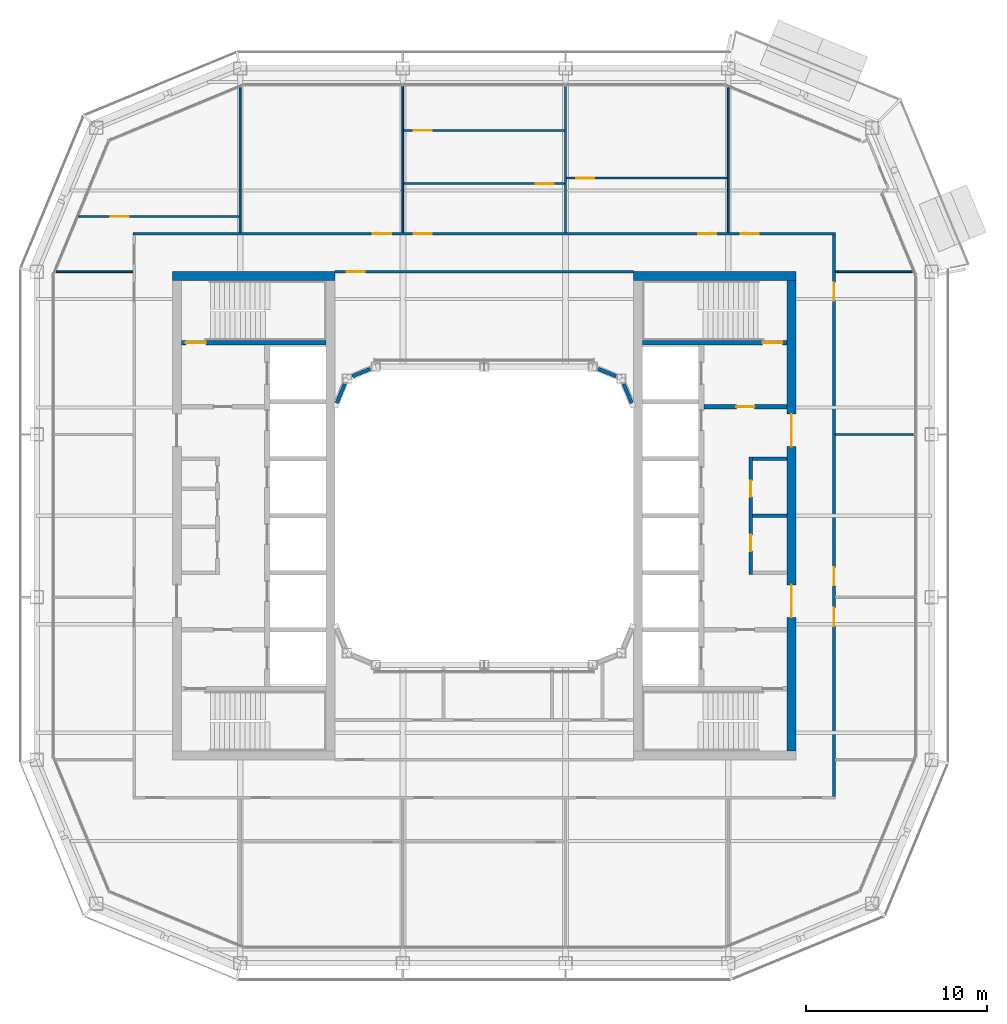
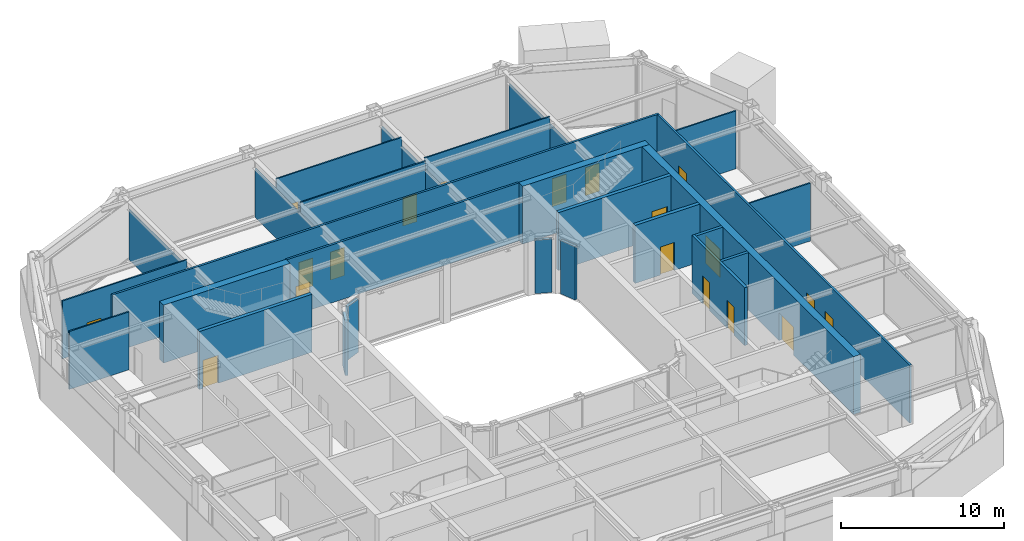
# One storey, part 12 of 20: 27 walls, 19 doors, 19 openings.
"""IFC4 building model written with IfcOpenShell, lengths in metres."""

import ifcopenshell
import ifcopenshell.guid

model = None  # the IFC model being written
_history = None  # IfcOwnerHistory: only IFC2X3 demands one
_inside = {}  # id of a spatial element -> (the spatial element, [elements in it])
_under = {}  # id of a project, library or spatial element -> (it, [spatial elements below it])
_declared = {}  # id of a project -> (the project, [libraries it declares])
_typed = {}  # id of a type object -> (the type object, [elements of that type])
_made_of = {}  # id of a material, layer set ... -> (it, [elements and type objects made of it])


def new_model(schema):
    """Start an empty IFC model of exactly this schema.

    Asked for "IFC4X3", IfcOpenShell would pick the latest addendum, in which some entities
    have other attributes; the version numbers below select the first issue.
    IFC2X3 requires an IfcOwnerHistory on every rooted entity: one is made here for all.
    """
    global model, _history
    if schema == "IFC4X3":
        model = ifcopenshell.file(schema_version=(4, 3, 0, 0))
    else:
        model = ifcopenshell.file(schema=schema)
    _inside.clear()
    _under.clear()
    _declared.clear()
    _typed.clear()
    _made_of.clear()
    _history = None
    if model.schema == "IFC2X3":
        org = make("IfcOrganization", Name="unknown")
        user = make(
            "IfcPersonAndOrganization",
            ThePerson=make("IfcPerson", FamilyName="unknown"),
            TheOrganization=org,
        )
        app = make(
            "IfcApplication",
            ApplicationDeveloper=org,
            Version="unknown",
            ApplicationFullName="unknown",
            ApplicationIdentifier="unknown",
        )
        _history = make(
            "IfcOwnerHistory",
            OwningUser=user,
            OwningApplication=app,
            ChangeAction="ADDED",
            CreationDate=0,
        )
    return model


def make(cls, **values):
    """One entity of the class cls with the attributes given. An attribute that is None is left unset."""
    return model.create_entity(
        cls, **{name: value for name, value in values.items() if value is not None}
    )


def rooted(cls, **values):
    """An entity with a GlobalId (a new one), such as an element, a storey or a relation."""
    return make(cls, GlobalId=ifcopenshell.guid.new(), OwnerHistory=_history, **values)


def si_unit(unit_type, name, prefix=None):
    """IfcSIUnit, for example si_unit("LENGTHUNIT", "METRE", prefix="MILLI")."""
    return make("IfcSIUnit", UnitType=unit_type, Prefix=prefix, Name=name)


def assignment(units):
    """IfcUnitAssignment: the units of a project."""
    return None if units is None else make("IfcUnitAssignment", Units=units)


def point(xyz):
    """IfcCartesianPoint."""
    return None if xyz is None else make("IfcCartesianPoint", Coordinates=xyz)


def direction(xyz):
    """IfcDirection."""
    return None if xyz is None else make("IfcDirection", DirectionRatios=xyz)


def frame(location, z_axis=None, x_axis=None):
    """IfcAxis2Placement3D, a coordinate frame: its origin and axes. An axis left out is left unset."""
    return make(
        "IfcAxis2Placement3D",
        Location=point(location),
        Axis=direction(z_axis),
        RefDirection=direction(x_axis),
    )


def frame_2d(location, x_axis=None):
    """IfcAxis2Placement2D, a coordinate frame in the plane: its origin and x axis."""
    return make(
        "IfcAxis2Placement2D", Location=point(location), RefDirection=direction(x_axis)
    )


def origin():
    """The frame at (0, 0, 0) with its axes left unset."""
    return frame((0.0, 0.0, 0.0))


def place(relative_to, where):
    """IfcLocalPlacement: puts the frame where relative to a parent placement (None: the world)."""
    return make(
        "IfcLocalPlacement", PlacementRelTo=relative_to, RelativePlacement=where
    )


def context(
    kind, dimensions, precision=None, world=None, true_north=None, identifier=None
):
    """IfcGeometricRepresentationContext, for example the 3D "Model" context."""
    return make(
        "IfcGeometricRepresentationContext",
        ContextIdentifier=identifier,
        ContextType=kind,
        CoordinateSpaceDimension=dimensions,
        Precision=precision,
        WorldCoordinateSystem=world,
        TrueNorth=true_north,
    )


def subcontext(parent, identifier, kind, view, scale=None):
    """IfcGeometricRepresentationSubContext, for example "Body" below "Model"."""
    return make(
        "IfcGeometricRepresentationSubContext",
        ContextIdentifier=identifier,
        ContextType=kind,
        ParentContext=parent,
        TargetScale=scale,
        TargetView=view,
    )


def project(units=None, contexts=None):
    """IfcProject with its units and contexts."""
    return rooted(
        "IfcProject",
        Name="project",
        RepresentationContexts=contexts,
        UnitsInContext=assignment(units),
    )


def spatial(cls, under=None, at=None, **own):
    """A site, building, storey or space (cls), placed at a placement, below another one or the project."""
    s = rooted(cls, ObjectPlacement=at, **own)
    if under is not None:
        _under.setdefault(under.id(), (under, []))[1].append(s)
    return s


def profile(cls, at=None, kind="AREA", **sizes):
    """A parametric profile (cls). Its sizes go by their IFC names, for example OverallWidth=200.0."""
    return make(cls, ProfileType=kind, Position=at, **sizes)


def rectangle(**sizes):
    """IfcRectangleProfileDef."""
    return profile("IfcRectangleProfileDef", **sizes)


def extrude(swept, where, along, depth):
    """IfcExtrudedAreaSolid: the profile swept, set in the frame where, extruded along a direction by depth."""
    return make(
        "IfcExtrudedAreaSolid",
        SweptArea=swept,
        Position=where,
        ExtrudedDirection=direction(along),
        Depth=depth,
    )


def shape(context_of_items, identifier, shape_type, items):
    """IfcShapeRepresentation: the items that make up one representation, for example the "Body"."""
    return make(
        "IfcShapeRepresentation",
        ContextOfItems=context_of_items,
        RepresentationIdentifier=identifier,
        RepresentationType=shape_type,
        Items=items,
    )


def material(Name=None, Category=None):
    """IfcMaterial."""
    return make("IfcMaterial", Name=Name, Category=Category)


def layer(
    of_material, thickness, ventilated=None, Name=None, Category=None, Priority=None
):
    """IfcMaterialLayer: one layer of a wall or slab, of a material (None: an air gap)."""
    return make(
        "IfcMaterialLayer",
        Material=of_material,
        LayerThickness=thickness,
        IsVentilated=ventilated,
        Name=Name,
        Category=Category,
        Priority=Priority,
    )


def layer_set(layers, Name=None):
    """IfcMaterialLayerSet."""
    return make("IfcMaterialLayerSet", MaterialLayers=layers, LayerSetName=Name)


def made_of(thing, what):
    """Note that an element or type object is made of a material, layer set ...; save() writes the relation."""
    if what is not None:
        _made_of.setdefault(what.id(), (what, []))[1].append(thing)
    return thing


def type_object(cls, material=None, **own):
    """A type object (cls), such as IfcWallType, which elements share."""
    return made_of(rooted(cls, **own), material)


def element(
    cls,
    number,
    at=None,
    inside=None,
    cuts=None,
    type_object=None,
    material=None,
    context=None,
    identifier="Body",
    shape_type=None,
    held_by="IfcProductDefinitionShape",
    body=None,
    shapes=None,
    **own,
):
    """One element of the class cls, such as IfcWall. Its Tag is "e" and its number.

    at: its placement. inside: the storey or other place that contains it. cuts: it is an
    opening in that element (IfcRelVoidsElement). A single representation is given by context,
    identifier, shape_type and body (its items); several are given by shapes. held_by: the class
    of the entity that holds the representations. save() writes the other relations.
    """
    e = rooted(cls, Tag="e%d" % number, ObjectPlacement=at, **own)
    if body is not None:
        shapes = [shape(context, identifier, shape_type, body)]
    if shapes is not None:
        e.Representation = make(held_by, Representations=shapes)
    if inside is not None:
        _inside.setdefault(inside.id(), (inside, []))[1].append(e)
    if cuts is not None:
        rooted(
            "IfcRelVoidsElement", RelatingBuildingElement=cuts, RelatedOpeningElement=e
        )
    if type_object is not None:
        _typed.setdefault(type_object.id(), (type_object, []))[1].append(e)
    return made_of(e, material)


def fill(opening, filler):
    """IfcRelFillsElement: the door or window that sits in an opening."""
    return rooted(
        "IfcRelFillsElement",
        RelatingOpeningElement=opening,
        RelatedBuildingElement=filler,
    )


def aggregate(whole, parts):
    """IfcRelAggregates: a whole, such as a stair, and the parts it consists of."""
    return rooted("IfcRelAggregates", RelatingObject=whole, RelatedObjects=parts)


def save(model, path):
    """Write the relations noted so far, then the file.

    IfcRelAggregates (storeys below a building ...), IfcRelContainedInSpatialStructure (elements
    in a storey), IfcRelDefinesByType, IfcRelAssociatesMaterial and IfcRelDeclares: one each for
    every whole, place, type object, material and project.
    """
    for whole, parts in _under.values():
        aggregate(whole, parts)
    for where, things in _inside.values():
        rooted(
            "IfcRelContainedInSpatialStructure",
            RelatedElements=things,
            RelatingStructure=where,
        )
    for kind, things in _typed.values():
        rooted("IfcRelDefinesByType", RelatedObjects=things, RelatingType=kind)
    for what, things in _made_of.values():
        rooted("IfcRelAssociatesMaterial", RelatedObjects=things, RelatingMaterial=what)
    for by, libraries in _declared.values():
        rooted("IfcRelDeclares", RelatingContext=by, RelatedDefinitions=libraries)
    model.write(path)


model = new_model("IFC4")

# Units and contexts
model_context = context("Model", 3, precision=1e-05, world=origin(), true_north=direction((0.0, 1.0)))
body_context = subcontext(model_context, "Body", "Model", "MODEL_VIEW")
ifc_project = project(units=[si_unit("LENGTHUNIT", "METRE"), si_unit("AREAUNIT", "SQUARE_METRE"), si_unit("VOLUMEUNIT", "CUBIC_METRE"), si_unit("PLANEANGLEUNIT", "RADIAN"), si_unit("MASSUNIT", "GRAM", prefix="KILO")], contexts=[model_context])

# Site, building, storey
site_placement = place(None, origin())
site = spatial("IfcSite", under=ifc_project, at=site_placement, CompositionType="ELEMENT")
building_placement = place(site_placement, origin())
building = spatial("IfcBuilding", under=site, at=building_placement, Name="Siwar Civic Tower", CompositionType="ELEMENT")
storey_placement = place(building_placement, frame((0.0, 0.0, 307.699951171875)))
storey = spatial("IfcBuildingStorey", under=building, at=storey_placement, Name="L66", CompositionType="ELEMENT", Elevation=307.699951171875)

# Wall, openings, doors
ifc_material_1 = material(Name="Gypsum board on steel studs", Category="steel")
ifc_layer_1 = layer(ifc_material_1, 0.199951171875)
ifc_layer_set_1 = layer_set([ifc_layer_1], Name="Gypsum board on steel studs")
wall_type_1 = type_object("IfcWallType", Name="CORE-PARTITION-200", PredefinedType="PARTITIONING", material=ifc_layer_set_1)
wall_1_placement = place(storey_placement, frame((14.75, -3.25, 0.0), z_axis=(0.0, 0.0, 1.0), x_axis=(0.0, 1.0, 0.0)))
wall_1 = element("IfcWall", 1, at=wall_1_placement, inside=storey, type_object=wall_type_1, Name="Core partition E", PredefinedType="PARTITIONING", context=body_context, shape_type="SweptSolid", body=[
    extrude(rectangle(XDim=6.5, YDim=0.199951171875, at=frame_2d((3.25, 0.0))), origin(), (0.0, 0.0, 1.0), 4.35009765625),
])
opening_1_placement = place(wall_1_placement, frame((1.300048828125, 0.0, 0.0)))
opening_1 = element("IfcOpeningElement", 2, at=opening_1_placement, cuts=wall_1, Name="Opening L66-CE13", PredefinedType="OPENING", context=body_context, shape_type="SweptSolid", body=[
    extrude(rectangle(XDim=0.89990234375, YDim=2.10009765625, at=frame_2d((0.449951171875, 1.050048828125))), frame((0.0, 0.10986328125, 0.0), z_axis=(0.0, -1.0, 0.0), x_axis=(1.0, 0.0, 0.0)), (0.0, 0.0, 1.0), 0.219970703125),
])
opening_2_placement = place(wall_1_placement, frame((4.300048828125, 0.0, 0.0)))
opening_2 = element("IfcOpeningElement", 3, at=opening_2_placement, cuts=wall_1, Name="Opening L66-CE14", PredefinedType="OPENING", context=body_context, shape_type="SweptSolid", body=[
    extrude(rectangle(XDim=0.89990234375, YDim=2.10009765625, at=frame_2d((0.449951171875, 1.050048828125))), frame((0.0, 0.10986328125, 0.0), z_axis=(0.0, -1.0, 0.0), x_axis=(1.0, 0.0, 0.0)), (0.0, 0.0, 1.0), 0.219970703125),
])
ifc_material_2 = material(Name="Steel door leaf", Category="steel")
door_type_1 = type_object("IfcDoorType", Name="CORE-DOOR-ROOM", OperationType="SINGLE_SWING_LEFT", PredefinedType="DOOR", material=ifc_material_2)
door_1_placement = place(opening_1_placement, origin())
door_1 = element("IfcDoor", 4, at=door_1_placement, inside=storey, type_object=door_type_1, Name="Core room door L66-CE13", OperationType="SINGLE_SWING_RIGHT", OverallHeight=2.10009765625, OverallWidth=0.89990234375, PredefinedType="DOOR", context=body_context, shape_type="SweptSolid", body=[
    extrude(rectangle(XDim=0.89990234375, YDim=2.10009765625, at=frame_2d((0.449951171875, 1.050048828125))), frame((0.0, 0.02490234375, 0.0), z_axis=(0.0, -1.0, 0.0), x_axis=(1.0, 0.0, 0.0)), (0.0, 0.0, 1.0), 0.050048828125),
])
fill(opening_1, door_1)
door_2_placement = place(opening_2_placement, origin())
door_2 = element("IfcDoor", 5, at=door_2_placement, inside=storey, type_object=door_type_1, Name="Core room door L66-CE14", OperationType="SINGLE_SWING_LEFT", OverallHeight=2.10009765625, OverallWidth=0.89990234375, PredefinedType="DOOR", context=body_context, shape_type="SweptSolid", body=[
    extrude(rectangle(XDim=0.89990234375, YDim=2.10009765625, at=frame_2d((0.449951171875, 1.050048828125))), frame((0.0, 0.02490234375, 0.0), z_axis=(0.0, -1.0, 0.0), x_axis=(1.0, 0.0, 0.0)), (0.0, 0.0, 1.0), 0.050048828125),
])
fill(opening_2, door_2)

# Walls
for number, where, z_axis, x_axis, name in (
    (6, (14.85009765625, 3.14990234375, 0.0), (0.0, 0.0, 1.0), (1.0, 0.0, 0.0), "Core partition E"),
    (7, (14.85009765625, 0.0, 0.0), (0.0, 0.0, 1.0), (1.0, 0.0, 0.0), "Core partition E"),
):
    element("IfcWall", number, at=place(storey_placement, frame(where, z_axis=z_axis, x_axis=x_axis)), inside=storey, type_object=wall_type_1, Name=name, PredefinedType="PARTITIONING", context=body_context, shape_type="SweptSolid", body=[
        extrude(rectangle(XDim=1.89990234375, YDim=0.199951171875, at=frame_2d((0.949951171875, 0.0))), origin(), (0.0, 0.0, 1.0), 4.35009765625),
    ])

# Wall, opening, door
ifc_material_3 = material(Name="Concrete C60/75", Category="concrete")
ifc_layer_2 = layer(ifc_material_3, 0.25)
ifc_layer_set_2 = layer_set([ifc_layer_2], Name="Concrete C60/75")
wall_type_2 = type_object("IfcWallType", Name="CORE-WALL-RC250", PredefinedType="SHEAR", material=ifc_layer_set_2)
wall_2_placement = place(storey_placement, frame((-8.75, 9.574951171875, 0.0), z_axis=(0.0, 0.0, 1.0), x_axis=(-1.0, 0.0, 0.0)))
wall_2 = element("IfcWall", 8, at=wall_2_placement, inside=storey, type_object=wall_type_2, Name="Core wall W", PredefinedType="SHEAR", context=body_context, shape_type="SweptSolid", body=[
    extrude(rectangle(XDim=8.0, YDim=0.25, at=frame_2d((4.0, 0.0))), origin(), (0.0, 0.0, 1.0), 4.35009765625),
])
opening_3_placement = place(wall_2_placement, frame((6.64990234375, 0.0, 0.0)))
opening_3 = element("IfcOpeningElement", 9, at=opening_3_placement, cuts=wall_2, Name="Opening L66-CW03", PredefinedType="OPENING", context=body_context, shape_type="SweptSolid", body=[
    extrude(rectangle(XDim=1.10009765625, YDim=2.10009765625, at=frame_2d((0.550048828125, 1.050048828125))), frame((0.0, 0.135009765625, 0.0), z_axis=(0.0, -1.0, 0.0), x_axis=(1.0, 0.0, 0.0)), (0.0, 0.0, 1.0), 0.27001953125),
])
ifc_material_4 = material(Name="Steel door leaf", Category="steel")
door_type_2 = type_object("IfcDoorType", Name="CORE-DOOR-FD60S", OperationType="SINGLE_SWING_LEFT", PredefinedType="DOOR", material=ifc_material_4)
door_3_placement = place(opening_3_placement, origin())
door_3 = element("IfcDoor", 10, at=door_3_placement, inside=storey, type_object=door_type_2, Name="Stair door L66-CW03", OperationType="SINGLE_SWING_RIGHT", OverallHeight=2.10009765625, OverallWidth=1.10009765625, PredefinedType="DOOR", context=body_context, shape_type="SweptSolid", body=[
    extrude(rectangle(XDim=1.10009765625, YDim=2.10009765625, at=frame_2d((0.550048828125, 1.050048828125))), frame((0.0, 0.02490234375, 0.0), z_axis=(0.0, -1.0, 0.0), x_axis=(1.0, 0.0, 0.0)), (0.0, 0.0, 1.0), 0.050048828125),
])
fill(opening_3, door_3)

wall_3_placement = place(storey_placement, frame((12.14990234375, 6.02490234375, 0.0), z_axis=(0.0, 0.0, 1.0), x_axis=(1.0, 0.0, 0.0)))
wall_3 = element("IfcWall", 11, at=wall_3_placement, inside=storey, type_object=wall_type_2, Name="Core wall E", PredefinedType="SHEAR", context=body_context, shape_type="SweptSolid", body=[
    extrude(rectangle(XDim=4.60009765625, YDim=0.25, at=frame_2d((2.300048828125, 0.0))), origin(), (0.0, 0.0, 1.0), 4.35009765625),
])
opening_4_placement = place(wall_3_placement, frame((1.800048828125, 0.0, 0.0)))
opening_4 = element("IfcOpeningElement", 12, at=opening_4_placement, cuts=wall_3, Name="Opening L66-CE01", PredefinedType="OPENING", context=body_context, shape_type="SweptSolid", body=[
    extrude(rectangle(XDim=1.0, YDim=2.10009765625, at=frame_2d((0.5, 1.050048828125))), frame((0.0, 0.135009765625, 0.0), z_axis=(0.0, -1.0, 0.0), x_axis=(1.0, 0.0, 0.0)), (0.0, 0.0, 1.0), 0.27001953125),
])
ifc_material_5 = material(Name="Steel door leaf", Category="steel")
door_type_3 = type_object("IfcDoorType", Name="CORE-DOOR-FD30S", OperationType="SINGLE_SWING_LEFT", PredefinedType="DOOR", material=ifc_material_5)
door_4_placement = place(opening_4_placement, origin())
door_4 = element("IfcDoor", 13, at=door_4_placement, inside=storey, type_object=door_type_3, Name="Firefighting lobby door L66-CE01", OperationType="SINGLE_SWING_RIGHT", OverallHeight=2.10009765625, OverallWidth=1.0, PredefinedType="DOOR", context=body_context, shape_type="SweptSolid", body=[
    extrude(rectangle(XDim=1.0, YDim=2.10009765625, at=frame_2d((0.5, 1.050048828125))), frame((0.0, 0.02490234375, 0.0), z_axis=(0.0, -1.0, 0.0), x_axis=(1.0, 0.0, 0.0)), (0.0, 0.0, 1.0), 0.050048828125),
])
fill(opening_4, door_4)

wall_4_placement = place(storey_placement, frame((8.75, 9.574951171875, 0.0), z_axis=(0.0, 0.0, 1.0), x_axis=(1.0, 0.0, 0.0)))
wall_4 = element("IfcWall", 14, at=wall_4_placement, inside=storey, type_object=wall_type_2, Name="Core wall E", PredefinedType="SHEAR", context=body_context, shape_type="SweptSolid", body=[
    extrude(rectangle(XDim=8.0, YDim=0.25, at=frame_2d((4.0, 0.0))), origin(), (0.0, 0.0, 1.0), 4.35009765625),
])
opening_5_placement = place(wall_4_placement, frame((6.64990234375, 0.0, 0.0)))
opening_5 = element("IfcOpeningElement", 15, at=opening_5_placement, cuts=wall_4, Name="Opening L66-CE03", PredefinedType="OPENING", context=body_context, shape_type="SweptSolid", body=[
    extrude(rectangle(XDim=1.10009765625, YDim=2.10009765625, at=frame_2d((0.550048828125, 1.050048828125))), frame((0.0, 0.135009765625, 0.0), z_axis=(0.0, -1.0, 0.0), x_axis=(1.0, 0.0, 0.0)), (0.0, 0.0, 1.0), 0.27001953125),
])
door_5_placement = place(opening_5_placement, origin())
door_5 = element("IfcDoor", 16, at=door_5_placement, inside=storey, type_object=door_type_2, Name="Stair door L66-CE03", OperationType="SINGLE_SWING_LEFT", OverallHeight=2.10009765625, OverallWidth=1.10009765625, PredefinedType="DOOR", context=body_context, shape_type="SweptSolid", body=[
    extrude(rectangle(XDim=1.10009765625, YDim=2.10009765625, at=frame_2d((0.550048828125, 1.050048828125))), frame((0.0, 0.02490234375, 0.0), z_axis=(0.0, -1.0, 0.0), x_axis=(1.0, 0.0, 0.0)), (0.0, 0.0, 1.0), 0.050048828125),
])
fill(opening_5, door_5)

# Wall
ifc_material_6 = material(Name="Concrete C60/75", Category="concrete")
ifc_layer_3 = layer(ifc_material_6, 0.5)
ifc_layer_set_3 = layer_set([ifc_layer_3], Name="Concrete C60/75")
wall_type_3 = type_object("IfcWallType", Name="CORE-WALL-RC500", PredefinedType="SHEAR", material=ifc_layer_set_3)
wall_5_placement = place(storey_placement, frame((-8.25, 13.25, 0.0), z_axis=(0.0, 0.0, 1.0), x_axis=(-1.0, 0.0, 0.0)))
element("IfcWall", 17, at=wall_5_placement, inside=storey, type_object=wall_type_3, Name="Core wall W", PredefinedType="SHEAR", context=body_context, shape_type="SweptSolid", body=[
    extrude(rectangle(XDim=9.0, YDim=0.5, at=frame_2d((4.5, 0.0))), origin(), (0.0, 0.0, 1.0), 4.35009765625),
])

# Wall, openings, doors
wall_6_placement = place(storey_placement, frame((17.0, -13.0, 0.0), z_axis=(0.0, 0.0, 1.0), x_axis=(0.0, 1.0, 0.0)))
wall_6 = element("IfcWall", 18, at=wall_6_placement, inside=storey, type_object=wall_type_3, Name="Core wall E", PredefinedType="SHEAR", context=body_context, shape_type="SweptSolid", body=[
    extrude(rectangle(XDim=26.0, YDim=0.5, at=frame_2d((13.0, 0.0))), origin(), (0.0, 0.0, 1.0), 4.35009765625),
])
opening_6_placement = place(wall_6_placement, frame((16.824951171875, 0.0, 0.0)))
opening_6 = element("IfcOpeningElement", 19, at=opening_6_placement, cuts=wall_6, Name="Opening L66-CE05", PredefinedType="OPENING", context=body_context, shape_type="SweptSolid", body=[
    extrude(rectangle(XDim=1.800048828125, YDim=2.10009765625, at=frame_2d((0.89990234375, 1.050048828125))), frame((0.0, 0.260009765625, 0.0), z_axis=(0.0, -1.0, 0.0), x_axis=(1.0, 0.0, 0.0)), (0.0, 0.0, 1.0), 0.52001953125),
])
opening_7_placement = place(wall_6_placement, frame((7.375, 0.0, 0.0)))
opening_7 = element("IfcOpeningElement", 20, at=opening_7_placement, cuts=wall_6, Name="Opening L66-CE06", PredefinedType="OPENING", context=body_context, shape_type="SweptSolid", body=[
    extrude(rectangle(XDim=1.800048828125, YDim=2.10009765625, at=frame_2d((0.89990234375, 1.050048828125))), frame((0.0, 0.260009765625, 0.0), z_axis=(0.0, -1.0, 0.0), x_axis=(1.0, 0.0, 0.0)), (0.0, 0.0, 1.0), 0.52001953125),
])
ifc_material_7 = material(Name="Steel door leaf", Category="steel")
door_type_4 = type_object("IfcDoorType", Name="CORE-DOOR-PORT", OperationType="DOUBLE_DOOR_DOUBLE_SWING", PredefinedType="DOOR", material=ifc_material_7)
door_6_placement = place(opening_6_placement, origin())
door_6 = element("IfcDoor", 21, at=door_6_placement, inside=storey, type_object=door_type_4, Name="Core entrance door L66-CE05", OperationType="DOUBLE_DOOR_DOUBLE_SWING", OverallHeight=2.10009765625, OverallWidth=1.800048828125, PredefinedType="DOOR", context=body_context, shape_type="SweptSolid", body=[
    extrude(rectangle(XDim=1.800048828125, YDim=2.10009765625, at=frame_2d((0.89990234375, 1.050048828125))), frame((0.0, 0.02490234375, 0.0), z_axis=(0.0, -1.0, 0.0), x_axis=(1.0, 0.0, 0.0)), (0.0, 0.0, 1.0), 0.050048828125),
])
fill(opening_6, door_6)
door_7_placement = place(opening_7_placement, origin())
door_7 = element("IfcDoor", 22, at=door_7_placement, inside=storey, type_object=door_type_4, Name="Core entrance door L66-CE06", OperationType="DOUBLE_DOOR_DOUBLE_SWING", OverallHeight=2.10009765625, OverallWidth=1.800048828125, PredefinedType="DOOR", context=body_context, shape_type="SweptSolid", body=[
    extrude(rectangle(XDim=1.800048828125, YDim=2.10009765625, at=frame_2d((0.89990234375, 1.050048828125))), frame((0.0, 0.02490234375, 0.0), z_axis=(0.0, -1.0, 0.0), x_axis=(1.0, 0.0, 0.0)), (0.0, 0.0, 1.0), 0.050048828125),
])
fill(opening_7, door_7)

# Wall
wall_7_placement = place(storey_placement, frame((8.25, 13.25, 0.0), z_axis=(0.0, 0.0, 1.0), x_axis=(1.0, 0.0, 0.0)))
element("IfcWall", 23, at=wall_7_placement, inside=storey, type_object=wall_type_3, Name="Core wall E", PredefinedType="SHEAR", context=body_context, shape_type="SweptSolid", body=[
    extrude(rectangle(XDim=9.0, YDim=0.5, at=frame_2d((4.5, 0.0))), origin(), (0.0, 0.0, 1.0), 4.35009765625),
])

# Wall, opening, door
ifc_material_8 = material(Name="Gypsum board on steel studs", Category="steel")
ifc_layer_4 = layer(ifc_material_8, 0.14990234375)
ifc_layer_set_4 = layer_set([ifc_layer_4], Name="Gypsum board on steel studs")
wall_type_4 = type_object("IfcWallType", Name="CORRIDOR PARTITION 150 EI 30", PredefinedType="PARTITIONING", material=ifc_layer_set_4)
wall_8_placement = place(storey_placement, frame((-8.25, 13.5, 0.0), z_axis=(0.0, 0.0, 1.0), x_axis=(1.0, 0.0, 0.0)))
wall_8 = element("IfcWall", 24, at=wall_8_placement, inside=storey, type_object=wall_type_4, Name="L66/wall/P14", PredefinedType="PARTITIONING", context=body_context, shape_type="SweptSolid", body=[
    extrude(rectangle(XDim=16.5, YDim=0.14990234375, at=frame_2d((8.25, 0.0))), origin(), (0.0, 0.0, 1.0), 4.35009765625),
])
opening_8_placement = place(wall_8_placement, frame((0.64990234375, 0.0, 0.0)))
opening_8 = element("IfcOpeningElement", 25, at=opening_8_placement, cuts=wall_8, Name="Opening D1", PredefinedType="OPENING", context=body_context, shape_type="SweptSolid", body=[
    extrude(rectangle(XDim=1.0, YDim=2.10009765625, at=frame_2d((0.5, 1.050048828125))), frame((0.0, 0.0849609375, 0.0), z_axis=(0.0, -1.0, 0.0), x_axis=(1.0, 0.0, 0.0)), (0.0, 0.0, 1.0), 0.169921875),
])
ifc_material_9 = material(Name="Timber, painted", Category="wood")
door_type_5 = type_object("IfcDoorType", Name="DOOR 1000 X 2100 FD30", OperationType="SINGLE_SWING_LEFT", PredefinedType="DOOR", material=ifc_material_9)
door_8_placement = place(opening_8_placement, origin())
door_8 = element("IfcDoor", 26, at=door_8_placement, inside=storey, type_object=door_type_5, Name="L66-D23", OperationType="SINGLE_SWING_LEFT", OverallHeight=2.10009765625, OverallWidth=1.0, PredefinedType="DOOR", context=body_context, shape_type="SweptSolid", body=[
    extrude(rectangle(XDim=1.0, YDim=2.10009765625, at=frame_2d((0.5, 1.050048828125))), frame((0.0, 0.02490234375, 0.0), z_axis=(0.0, -1.0, 0.0), x_axis=(1.0, 0.0, 0.0)), (0.0, 0.0, 1.0), 0.050048828125),
])
fill(opening_8, door_8)

# Wall, openings, doors
wall_9_placement = place(storey_placement, frame((-19.425048828125, 15.60009765625, 0.0), z_axis=(0.0, 0.0, 1.0), x_axis=(1.0, 0.0, 0.0)))
wall_9 = element("IfcWall", 27, at=wall_9_placement, inside=storey, type_object=wall_type_4, Name="L66/wall/P15", PredefinedType="PARTITIONING", context=body_context, shape_type="SweptSolid", body=[
    extrude(rectangle(XDim=38.85009765625, YDim=0.14990234375, at=frame_2d((19.425048828125, 0.0))), origin(), (0.0, 0.0, 1.0), 4.35009765625),
])
opening_9_placement = place(wall_9_placement, frame((13.27490234375, 0.0, 0.0)))
opening_9 = element("IfcOpeningElement", 28, at=opening_9_placement, cuts=wall_9, Name="Opening D1", PredefinedType="OPENING", context=body_context, shape_type="SweptSolid", body=[
    extrude(rectangle(XDim=1.0, YDim=2.10009765625, at=frame_2d((0.5, 1.050048828125))), frame((0.0, 0.0849609375, 0.0), z_axis=(0.0, -1.0, 0.0), x_axis=(1.0, 0.0, 0.0)), (0.0, 0.0, 1.0), 0.169921875),
])
opening_10_placement = place(wall_9_placement, frame((15.52490234375, 0.0, 0.0)))
opening_10 = element("IfcOpeningElement", 29, at=opening_10_placement, cuts=wall_9, Name="Opening D1", PredefinedType="OPENING", context=body_context, shape_type="SweptSolid", body=[
    extrude(rectangle(XDim=1.0, YDim=2.10009765625, at=frame_2d((0.5, 1.050048828125))), frame((0.0, 0.0849609375, 0.0), z_axis=(0.0, -1.0, 0.0), x_axis=(1.0, 0.0, 0.0)), (0.0, 0.0, 1.0), 0.169921875),
])
opening_11_placement = place(wall_9_placement, frame((31.27490234375, 0.0, 0.0)))
opening_11 = element("IfcOpeningElement", 30, at=opening_11_placement, cuts=wall_9, Name="Opening D1", PredefinedType="OPENING", context=body_context, shape_type="SweptSolid", body=[
    extrude(rectangle(XDim=1.0, YDim=2.10009765625, at=frame_2d((0.5, 1.050048828125))), frame((0.0, 0.0849609375, 0.0), z_axis=(0.0, -1.0, 0.0), x_axis=(1.0, 0.0, 0.0)), (0.0, 0.0, 1.0), 0.169921875),
])
opening_12_placement = place(wall_9_placement, frame((33.625, 0.0, 0.0)))
opening_12 = element("IfcOpeningElement", 31, at=opening_12_placement, cuts=wall_9, Name="Opening D1", PredefinedType="OPENING", context=body_context, shape_type="SweptSolid", body=[
    extrude(rectangle(XDim=1.0, YDim=2.10009765625, at=frame_2d((0.5, 1.050048828125))), frame((0.0, 0.0849609375, 0.0), z_axis=(0.0, -1.0, 0.0), x_axis=(1.0, 0.0, 0.0)), (0.0, 0.0, 1.0), 0.169921875),
])
door_9_placement = place(opening_9_placement, origin())
door_9 = element("IfcDoor", 32, at=door_9_placement, inside=storey, type_object=door_type_5, Name="L66-D01", OperationType="SINGLE_SWING_LEFT", OverallHeight=2.10009765625, OverallWidth=1.0, PredefinedType="DOOR", context=body_context, shape_type="SweptSolid", body=[
    extrude(rectangle(XDim=1.0, YDim=2.10009765625, at=frame_2d((0.5, 1.050048828125))), frame((0.0, 0.02490234375, 0.0), z_axis=(0.0, -1.0, 0.0), x_axis=(1.0, 0.0, 0.0)), (0.0, 0.0, 1.0), 0.050048828125),
])
fill(opening_9, door_9)
door_10_placement = place(opening_10_placement, origin())
door_10 = element("IfcDoor", 33, at=door_10_placement, inside=storey, type_object=door_type_5, Name="L66-D02", OperationType="SINGLE_SWING_RIGHT", OverallHeight=2.10009765625, OverallWidth=1.0, PredefinedType="DOOR", context=body_context, shape_type="SweptSolid", body=[
    extrude(rectangle(XDim=1.0, YDim=2.10009765625, at=frame_2d((0.5, 1.050048828125))), frame((0.0, 0.02490234375, 0.0), z_axis=(0.0, -1.0, 0.0), x_axis=(1.0, 0.0, 0.0)), (0.0, 0.0, 1.0), 0.050048828125),
])
fill(opening_10, door_10)
door_11_placement = place(opening_11_placement, origin())
door_11 = element("IfcDoor", 34, at=door_11_placement, inside=storey, type_object=door_type_5, Name="L66-D05", OperationType="SINGLE_SWING_LEFT", OverallHeight=2.10009765625, OverallWidth=1.0, PredefinedType="DOOR", context=body_context, shape_type="SweptSolid", body=[
    extrude(rectangle(XDim=1.0, YDim=2.10009765625, at=frame_2d((0.5, 1.050048828125))), frame((0.0, 0.02490234375, 0.0), z_axis=(0.0, -1.0, 0.0), x_axis=(1.0, 0.0, 0.0)), (0.0, 0.0, 1.0), 0.050048828125),
])
fill(opening_11, door_11)
door_12_placement = place(opening_12_placement, origin())
door_12 = element("IfcDoor", 35, at=door_12_placement, inside=storey, type_object=door_type_5, Name="L66-D14", OperationType="SINGLE_SWING_RIGHT", OverallHeight=2.10009765625, OverallWidth=1.0, PredefinedType="DOOR", context=body_context, shape_type="SweptSolid", body=[
    extrude(rectangle(XDim=1.0, YDim=2.10009765625, at=frame_2d((0.5, 1.050048828125))), frame((0.0, 0.02490234375, 0.0), z_axis=(0.0, -1.0, 0.0), x_axis=(1.0, 0.0, 0.0)), (0.0, 0.0, 1.0), 0.050048828125),
])
fill(opening_12, door_12)

wall_10_placement = place(storey_placement, frame((19.35009765625, -15.52490234375, 0.0), z_axis=(0.0, 0.0, 1.0), x_axis=(0.0, 1.0, 0.0)))
wall_10 = element("IfcWall", 36, at=wall_10_placement, inside=storey, type_object=wall_type_4, Name="L66/wall/P33", PredefinedType="PARTITIONING", context=body_context, shape_type="SweptSolid", body=[
    extrude(rectangle(XDim=31.0498046875, YDim=0.14990234375, at=frame_2d((15.52490234375, 0.0))), origin(), (0.0, 0.0, 1.0), 4.35009765625),
])
opening_13_placement = place(wall_10_placement, frame((9.425048828125, 0.0, 0.0)))
opening_13 = element("IfcOpeningElement", 37, at=opening_13_placement, cuts=wall_10, Name="Opening D1", PredefinedType="OPENING", context=body_context, shape_type="SweptSolid", body=[
    extrude(rectangle(XDim=1.0, YDim=2.10009765625, at=frame_2d((0.5, 1.050048828125))), frame((0.0, 0.0849609375, 0.0), z_axis=(0.0, -1.0, 0.0), x_axis=(1.0, 0.0, 0.0)), (0.0, 0.0, 1.0), 0.169921875),
])
opening_14_placement = place(wall_10_placement, frame((11.675048828125, 0.0, 0.0)))
opening_14 = element("IfcOpeningElement", 38, at=opening_14_placement, cuts=wall_10, Name="Opening D1", PredefinedType="OPENING", context=body_context, shape_type="SweptSolid", body=[
    extrude(rectangle(XDim=1.0, YDim=2.10009765625, at=frame_2d((0.5, 1.050048828125))), frame((0.0, 0.0849609375, 0.0), z_axis=(0.0, -1.0, 0.0), x_axis=(1.0, 0.0, 0.0)), (0.0, 0.0, 1.0), 0.169921875),
])
opening_15_placement = place(wall_10_placement, frame((27.425048828125, 0.0, 0.0)))
opening_15 = element("IfcOpeningElement", 39, at=opening_15_placement, cuts=wall_10, Name="Opening D1", PredefinedType="OPENING", context=body_context, shape_type="SweptSolid", body=[
    extrude(rectangle(XDim=1.0, YDim=2.10009765625, at=frame_2d((0.5, 1.050048828125))), frame((0.0, 0.0849609375, 0.0), z_axis=(0.0, -1.0, 0.0), x_axis=(1.0, 0.0, 0.0)), (0.0, 0.0, 1.0), 0.169921875),
])
door_13_placement = place(opening_13_placement, origin())
door_13 = element("IfcDoor", 40, at=door_13_placement, inside=storey, type_object=door_type_5, Name="L66-D20", OperationType="SINGLE_SWING_RIGHT", OverallHeight=2.10009765625, OverallWidth=1.0, PredefinedType="DOOR", context=body_context, shape_type="SweptSolid", body=[
    extrude(rectangle(XDim=1.0, YDim=2.10009765625, at=frame_2d((0.5, 1.050048828125))), frame((0.0, 0.02490234375, 0.0), z_axis=(0.0, -1.0, 0.0), x_axis=(1.0, 0.0, 0.0)), (0.0, 0.0, 1.0), 0.050048828125),
])
fill(opening_13, door_13)
door_14_placement = place(opening_14_placement, origin())
door_14 = element("IfcDoor", 41, at=door_14_placement, inside=storey, type_object=door_type_5, Name="L66-D21", OperationType="SINGLE_SWING_LEFT", OverallHeight=2.10009765625, OverallWidth=1.0, PredefinedType="DOOR", context=body_context, shape_type="SweptSolid", body=[
    extrude(rectangle(XDim=1.0, YDim=2.10009765625, at=frame_2d((0.5, 1.050048828125))), frame((0.0, 0.02490234375, 0.0), z_axis=(0.0, -1.0, 0.0), x_axis=(1.0, 0.0, 0.0)), (0.0, 0.0, 1.0), 0.050048828125),
])
fill(opening_14, door_14)
door_15_placement = place(opening_15_placement, origin())
door_15 = element("IfcDoor", 42, at=door_15_placement, inside=storey, type_object=door_type_5, Name="L66-D22", OperationType="SINGLE_SWING_RIGHT", OverallHeight=2.10009765625, OverallWidth=1.0, PredefinedType="DOOR", context=body_context, shape_type="SweptSolid", body=[
    extrude(rectangle(XDim=1.0, YDim=2.10009765625, at=frame_2d((0.5, 1.050048828125))), frame((0.0, 0.02490234375, 0.0), z_axis=(0.0, -1.0, 0.0), x_axis=(1.0, 0.0, 0.0)), (0.0, 0.0, 1.0), 0.050048828125),
])
fill(opening_15, door_15)

# Walls
ifc_material_10 = material(Name="Aluminium clad insulated panel", Category="aluminium")
ifc_layer_5 = layer(ifc_material_10, 0.199951171875)
ifc_layer_set_5 = layer_set([ifc_layer_5], Name="Aluminium clad insulated panel")
wall_type_5 = type_object("IfcWallType", Name="ENV-WALL-WELL", PredefinedType="STANDARD", material=ifc_layer_set_5)
wall_11_placement = place(storey_placement, frame((8.154296875, 6.23095703125, 0.0), z_axis=(0.0, 0.0, 1.0), x_axis=(-0.382571404949, 0.923925927829, 0.0)))
element("IfcWall", 43, at=wall_11_placement, inside=storey, type_object=wall_type_5, Name="Light well corner wall NE1", PredefinedType="STANDARD", context=body_context, shape_type="SweptSolid", body=[
    extrude(rectangle(XDim=1.1455078125, YDim=0.199951171875, at=frame_2d((0.57275390625, 0.0))), origin(), (0.0, 0.0, 1.0), 4.010009765625),
])
for number, where, z_axis, x_axis, name in (
    (44, (7.289306640625, 7.716064453125, 0.0), (0.0, 0.0, 1.0), (-0.923919409248, 0.382587147216, 0.0), "Light well corner wall NE2"),
    (45, (-6.3017578125, 8.125, 0.0), (0.0, 0.0, 1.0), (-0.923919409248, -0.382587147216, 0.0), "Light well corner wall NW1"),
):
    element("IfcWall", number, at=place(storey_placement, frame(where, z_axis=z_axis, x_axis=x_axis)), inside=storey, type_object=wall_type_5, Name=name, PredefinedType="STANDARD", context=body_context, shape_type="SweptSolid", body=[
        extrude(rectangle(XDim=1.06884765625, YDim=0.199951171875, at=frame_2d((0.534423828125, 0.0))), origin(), (0.0, 0.0, 1.0), 4.010009765625),
    ])
wall_12_placement = place(storey_placement, frame((-7.716064453125, 7.289306640625, 0.0), z_axis=(0.0, 0.0, 1.0), x_axis=(-0.382571404949, -0.923925927829, 0.0)))
element("IfcWall", 46, at=wall_12_placement, inside=storey, type_object=wall_type_5, Name="Light well corner wall NW2", PredefinedType="STANDARD", context=body_context, shape_type="SweptSolid", body=[
    extrude(rectangle(XDim=1.1455078125, YDim=0.199951171875, at=frame_2d((0.57275390625, 0.0))), origin(), (0.0, 0.0, 1.0), 4.010009765625),
])
ifc_material_11 = material(Name="Gypsum board on steel studs", Category="steel")
ifc_layer_6 = layer(ifc_material_11, 0.10009765625)
ifc_layer_set_6 = layer_set([ifc_layer_6], Name="Gypsum board on steel studs")
wall_type_6 = type_object("IfcWallType", Name="PARTITION 100 GYPSUM", PredefinedType="PARTITIONING", material=ifc_layer_set_6)
wall_13_placement = place(storey_placement, frame((19.425048828125, 4.5, 0.0), z_axis=(0.0, 0.0, 1.0), x_axis=(1.0, 0.0, 0.0)))
element("IfcWall", 47, at=wall_13_placement, inside=storey, type_object=wall_type_6, Name="L66/wall/P11", PredefinedType="PARTITIONING", context=body_context, shape_type="SweptSolid", body=[
    extrude(rectangle(XDim=4.3349609375, YDim=0.10009765625, at=frame_2d((2.16748046875, 0.0))), origin(), (0.0, 0.0, 1.0), 4.35009765625),
])
for number, where, z_axis, x_axis, name in (
    (48, (-23.677978515625, 13.5, 0.0), (0.0, 0.0, 1.0), (1.0, 0.0, 0.0), "L66/wall/P12"),
    (49, (19.425048828125, 13.5, 0.0), (0.0, 0.0, 1.0), (1.0, 0.0, 0.0), "L66/wall/P13"),
):
    element("IfcWall", number, at=place(storey_placement, frame(where, z_axis=z_axis, x_axis=x_axis)), inside=storey, type_object=wall_type_6, Name=name, PredefinedType="PARTITIONING", context=body_context, shape_type="SweptSolid", body=[
        extrude(rectangle(XDim=4.2529296875, YDim=0.10009765625, at=frame_2d((2.12646484375, 0.0))), origin(), (0.0, 0.0, 1.0), 4.35009765625),
    ])

# Wall, opening, door
wall_14_placement = place(storey_placement, frame((-22.4130859375, 16.552978515625, 0.0), z_axis=(0.0, 0.0, 1.0), x_axis=(1.0, 0.0, 0.0)))
wall_14 = element("IfcWall", 50, at=wall_14_placement, inside=storey, type_object=wall_type_6, Name="L66/wall/P16", PredefinedType="PARTITIONING", context=body_context, shape_type="SweptSolid", body=[
    extrude(rectangle(XDim=8.863037109375, YDim=0.10009765625, at=frame_2d((4.431640625, 0.0))), origin(), (0.0, 0.0, 1.0), 4.35009765625),
])
opening_16_placement = place(wall_14_placement, frame((1.762939453125, 0.0, 0.0)))
opening_16 = element("IfcOpeningElement", 51, at=opening_16_placement, cuts=wall_14, Name="Opening D2", PredefinedType="OPENING", context=body_context, shape_type="SweptSolid", body=[
    extrude(rectangle(XDim=1.0, YDim=2.10009765625, at=frame_2d((0.5, 1.050048828125))), frame((0.0, 0.06005859375, 0.0), z_axis=(0.0, -1.0, 0.0), x_axis=(1.0, 0.0, 0.0)), (0.0, 0.0, 1.0), 0.1201171875),
])
ifc_material_12 = material(Name="Timber, painted", Category="wood")
door_type_6 = type_object("IfcDoorType", Name="DOOR 1000 X 2100", OperationType="SINGLE_SWING_LEFT", PredefinedType="DOOR", material=ifc_material_12)
door_16_placement = place(opening_16_placement, origin())
door_16 = element("IfcDoor", 52, at=door_16_placement, inside=storey, type_object=door_type_6, Name="L66-D13", OperationType="SINGLE_SWING_RIGHT", OverallHeight=2.10009765625, OverallWidth=1.0, PredefinedType="DOOR", context=body_context, shape_type="SweptSolid", body=[
    extrude(rectangle(XDim=1.0, YDim=2.10009765625, at=frame_2d((0.5, 1.050048828125))), frame((0.0, 0.02490234375, 0.0), z_axis=(0.0, -1.0, 0.0), x_axis=(1.0, 0.0, 0.0)), (0.0, 0.0, 1.0), 0.050048828125),
])
fill(opening_16, door_16)

wall_15_placement = place(storey_placement, frame((-4.449951171875, 18.3740234375, 0.0), z_axis=(0.0, 0.0, 1.0), x_axis=(1.0, 0.0, 0.0)))
wall_15 = element("IfcWall", 53, at=wall_15_placement, inside=storey, type_object=wall_type_6, Name="L66/wall/P17", PredefinedType="PARTITIONING", context=body_context, shape_type="SweptSolid", body=[
    extrude(rectangle(XDim=8.89990234375, YDim=0.10009765625, at=frame_2d((4.449951171875, 0.0))), origin(), (0.0, 0.0, 1.0), 4.35009765625),
])
opening_17_placement = place(wall_15_placement, frame((7.300048828125, 0.0, 0.0)))
opening_17 = element("IfcOpeningElement", 54, at=opening_17_placement, cuts=wall_15, Name="Opening D2", PredefinedType="OPENING", context=body_context, shape_type="SweptSolid", body=[
    extrude(rectangle(XDim=1.0, YDim=2.10009765625, at=frame_2d((0.5, 1.050048828125))), frame((0.0, 0.06005859375, 0.0), z_axis=(0.0, -1.0, 0.0), x_axis=(1.0, 0.0, 0.0)), (0.0, 0.0, 1.0), 0.1201171875),
])
door_17_placement = place(opening_17_placement, origin())
door_17 = element("IfcDoor", 55, at=door_17_placement, inside=storey, type_object=door_type_6, Name="L66-D03", OperationType="SINGLE_SWING_LEFT", OverallHeight=2.10009765625, OverallWidth=1.0, PredefinedType="DOOR", context=body_context, shape_type="SweptSolid", body=[
    extrude(rectangle(XDim=1.0, YDim=2.10009765625, at=frame_2d((0.5, 1.050048828125))), frame((0.0, 0.02490234375, 0.0), z_axis=(0.0, -1.0, 0.0), x_axis=(1.0, 0.0, 0.0)), (0.0, 0.0, 1.0), 0.050048828125),
])
fill(opening_17, door_17)

wall_16_placement = place(storey_placement, frame((4.550048828125, 18.679931640625, 0.0), z_axis=(0.0, 0.0, 1.0), x_axis=(1.0, 0.0, 0.0)))
wall_16 = element("IfcWall", 56, at=wall_16_placement, inside=storey, type_object=wall_type_6, Name="L66/wall/P18", PredefinedType="PARTITIONING", context=body_context, shape_type="SweptSolid", body=[
    extrude(rectangle(XDim=8.89990234375, YDim=0.10009765625, at=frame_2d((4.449951171875, 0.0))), origin(), (0.0, 0.0, 1.0), 4.35009765625),
])
opening_18_placement = place(wall_16_placement, frame((0.550048828125, 0.0, 0.0)))
opening_18 = element("IfcOpeningElement", 57, at=opening_18_placement, cuts=wall_16, Name="Opening D2", PredefinedType="OPENING", context=body_context, shape_type="SweptSolid", body=[
    extrude(rectangle(XDim=1.0, YDim=2.10009765625, at=frame_2d((0.5, 1.050048828125))), frame((0.0, 0.06005859375, 0.0), z_axis=(0.0, -1.0, 0.0), x_axis=(1.0, 0.0, 0.0)), (0.0, 0.0, 1.0), 0.1201171875),
])
door_18_placement = place(opening_18_placement, origin())
door_18 = element("IfcDoor", 58, at=door_18_placement, inside=storey, type_object=door_type_6, Name="L66-D06", OperationType="SINGLE_SWING_RIGHT", OverallHeight=2.10009765625, OverallWidth=1.0, PredefinedType="DOOR", context=body_context, shape_type="SweptSolid", body=[
    extrude(rectangle(XDim=1.0, YDim=2.10009765625, at=frame_2d((0.5, 1.050048828125))), frame((0.0, 0.02490234375, 0.0), z_axis=(0.0, -1.0, 0.0), x_axis=(1.0, 0.0, 0.0)), (0.0, 0.0, 1.0), 0.050048828125),
])
fill(opening_18, door_18)

wall_17_placement = place(storey_placement, frame((-4.449951171875, 21.31201171875, 0.0), z_axis=(0.0, 0.0, 1.0), x_axis=(1.0, 0.0, 0.0)))
wall_17 = element("IfcWall", 59, at=wall_17_placement, inside=storey, type_object=wall_type_6, Name="L66/wall/P19", PredefinedType="PARTITIONING", context=body_context, shape_type="SweptSolid", body=[
    extrude(rectangle(XDim=8.89990234375, YDim=0.10009765625, at=frame_2d((4.449951171875, 0.0))), origin(), (0.0, 0.0, 1.0), 4.35009765625),
])
opening_19_placement = place(wall_17_placement, frame((0.550048828125, 0.0, 0.0)))
opening_19 = element("IfcOpeningElement", 60, at=opening_19_placement, cuts=wall_17, Name="Opening D2", PredefinedType="OPENING", context=body_context, shape_type="SweptSolid", body=[
    extrude(rectangle(XDim=1.0, YDim=2.10009765625, at=frame_2d((0.5, 1.050048828125))), frame((0.0, 0.06005859375, 0.0), z_axis=(0.0, -1.0, 0.0), x_axis=(1.0, 0.0, 0.0)), (0.0, 0.0, 1.0), 0.1201171875),
])
door_19_placement = place(opening_19_placement, origin())
door_19 = element("IfcDoor", 61, at=door_19_placement, inside=storey, type_object=door_type_6, Name="L66-D04", OperationType="SINGLE_SWING_RIGHT", OverallHeight=2.10009765625, OverallWidth=1.0, PredefinedType="DOOR", context=body_context, shape_type="SweptSolid", body=[
    extrude(rectangle(XDim=1.0, YDim=2.10009765625, at=frame_2d((0.5, 1.050048828125))), frame((0.0, 0.02490234375, 0.0), z_axis=(0.0, -1.0, 0.0), x_axis=(1.0, 0.0, 0.0)), (0.0, 0.0, 1.0), 0.050048828125),
])
fill(opening_19, door_19)

# Walls
wall_18_placement = place(storey_placement, frame((-13.5, 15.675048828125, 0.0), z_axis=(0.0, 0.0, 1.0), x_axis=(0.0, 1.0, 0.0)))
element("IfcWall", 62, at=wall_18_placement, inside=storey, type_object=wall_type_6, Name="L66/wall/P22", PredefinedType="PARTITIONING", context=body_context, shape_type="SweptSolid", body=[
    extrude(rectangle(XDim=8.0029296875, YDim=0.10009765625, at=frame_2d((4.00146484375, 0.0))), origin(), (0.0, 0.0, 1.0), 3.75),
])
for number, where, z_axis, x_axis, name in (
    (63, (-4.5, 15.675048828125, 0.0), (0.0, 0.0, 1.0), (0.0, 1.0, 0.0), "L66/wall/P25"),
    (64, (4.5, 15.675048828125, 0.0), (0.0, 0.0, 1.0), (0.0, 1.0, 0.0), "L66/wall/P29"),
):
    element("IfcWall", number, at=place(storey_placement, frame(where, z_axis=z_axis, x_axis=x_axis)), inside=storey, type_object=wall_type_6, Name=name, PredefinedType="PARTITIONING", context=body_context, shape_type="SweptSolid", body=[
        extrude(rectangle(XDim=8.0849609375, YDim=0.10009765625, at=frame_2d((4.04248046875, 0.0))), origin(), (0.0, 0.0, 1.0), 3.650146484375),
    ])
wall_19_placement = place(storey_placement, frame((13.5, 15.675048828125, 0.0), z_axis=(0.0, 0.0, 1.0), x_axis=(0.0, 1.0, 0.0)))
element("IfcWall", 65, at=wall_19_placement, inside=storey, type_object=wall_type_6, Name="L66/wall/P32", PredefinedType="PARTITIONING", context=body_context, shape_type="SweptSolid", body=[
    extrude(rectangle(XDim=8.0029296875, YDim=0.10009765625, at=frame_2d((4.00146484375, 0.0))), origin(), (0.0, 0.0, 1.0), 3.75),
])

save(model, "model.ifc")
